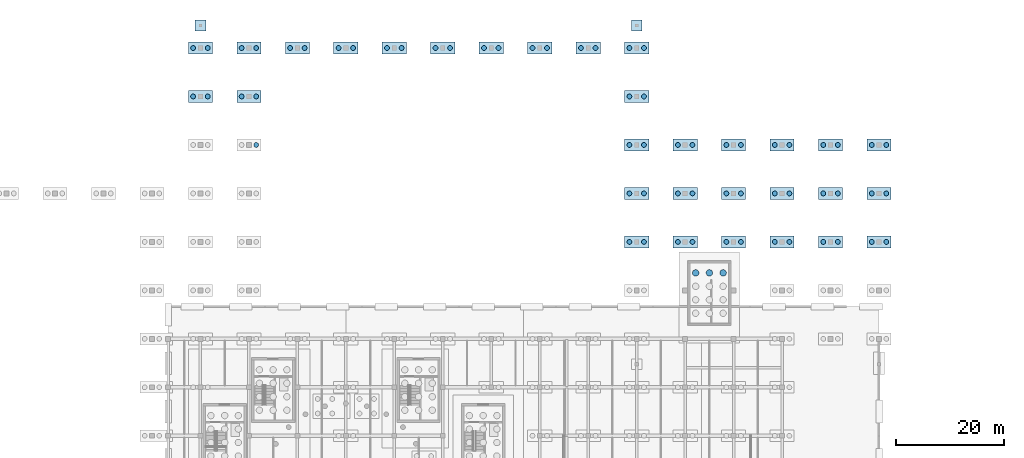
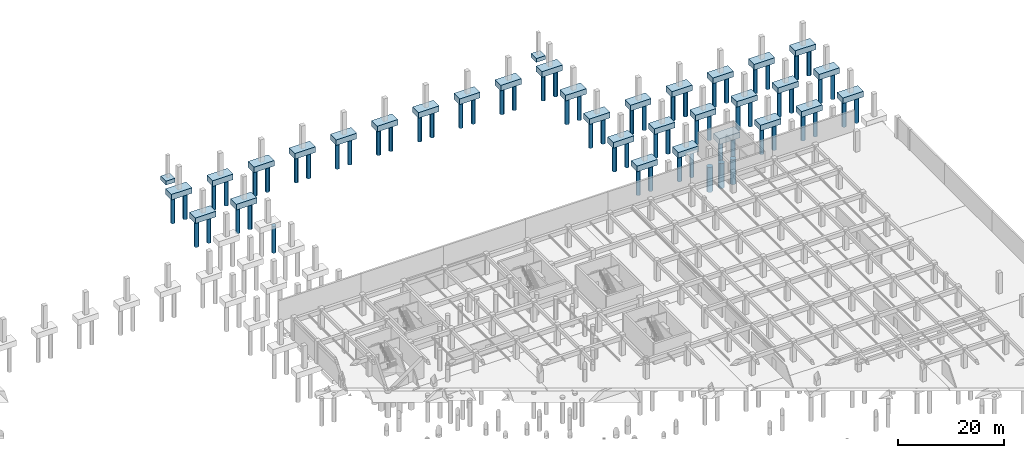
# One storey, part 9 of 27: 66 piles, 33 footings.
"""IFC4 building model written with IfcOpenShell, lengths in metres."""

from ifc_helpers import new_model, si_unit, direction, frame, origin, origin_2d, place, context, subcontext, project, spatial, polyline, circle, outline, extrude, material, layer, layer_set, material_profile, profile_set, type_object, element, save


model = new_model("IFC4")

# Units and contexts
model_context = context("Model", 3, precision=1e-05, world=origin(), true_north=direction((0.0, 1.0)))
body_context = subcontext(model_context, "Body", "Model", "MODEL_VIEW")
ifc_project = project(units=[si_unit("LENGTHUNIT", "METRE"), si_unit("AREAUNIT", "SQUARE_METRE"), si_unit("VOLUMEUNIT", "CUBIC_METRE"), si_unit("PLANEANGLEUNIT", "RADIAN"), si_unit("MASSUNIT", "GRAM", prefix="KILO")], contexts=[model_context])

# Site, building, storey
site_placement = place(None, origin())
site = spatial("IfcSite", under=ifc_project, at=site_placement, CompositionType="ELEMENT")
building_placement = place(site_placement, origin())
building = spatial("IfcBuilding", under=site, at=building_placement, Name="Dornveld Trade and Exhibition Forum", CompositionType="ELEMENT")
storey_placement = place(building_placement, frame((0.0, 0.0, -4.800048828125)))
storey = spatial("IfcBuildingStorey", under=building, at=storey_placement, Name="B1", CompositionType="ELEMENT", Elevation=-4.800048828125)

# Footings
ifc_material_1 = material(Name="Concrete C40/50", Category="concrete")
ifc_layer_1 = layer(ifc_material_1, 1.300048828125)
ifc_layer_set_1 = layer_set([ifc_layer_1], Name="Concrete C40/50")
footing_type_1 = type_object("IfcFootingType", Name="FT-CAP-2P", PredefinedType="PILE_CAP", material=ifc_layer_set_1)
footing_1_placement = place(storey_placement, frame((0.0, 0.0, -1.75)))
element("IfcFooting", 1, at=footing_1_placement, inside=storey, type_object=footing_type_1, Name="Multi-pile cap 108", PredefinedType="PILE_CAP", context=body_context, shape_type="SweptSolid", body=[
    extrude(outline(polyline([(87.75, 151.89990234375), (92.25, 151.89990234375), (92.25, 154.10009765625), (87.75, 154.10009765625), (87.75, 151.89990234375)])), origin(), (0.0, 0.0, 1.0), 1.300048828125),
])
footing_2_placement = place(storey_placement, frame((0.0, 0.0, -1.75)))
element("IfcFooting", 2, at=footing_2_placement, inside=storey, type_object=footing_type_1, Name="Multi-pile cap 109", PredefinedType="PILE_CAP", context=body_context, shape_type="SweptSolid", body=[
    extrude(outline(polyline([(87.75, 160.89990234375), (92.25, 160.89990234375), (92.25, 163.10009765625), (87.75, 163.10009765625), (87.75, 160.89990234375)])), origin(), (0.0, 0.0, 1.0), 1.300048828125),
])
footing_3_placement = place(storey_placement, frame((0.0, 0.0, -1.75)))
element("IfcFooting", 3, at=footing_3_placement, inside=storey, type_object=footing_type_1, Name="Multi-pile cap 122", PredefinedType="PILE_CAP", context=body_context, shape_type="SweptSolid", body=[
    extrude(outline(polyline([(96.75, 151.89990234375), (101.25, 151.89990234375), (101.25, 154.10009765625), (96.75, 154.10009765625), (96.75, 151.89990234375)])), origin(), (0.0, 0.0, 1.0), 1.300048828125),
])
footing_4_placement = place(storey_placement, frame((0.0, 0.0, -1.75)))
element("IfcFooting", 4, at=footing_4_placement, inside=storey, type_object=footing_type_1, Name="Multi-pile cap 123", PredefinedType="PILE_CAP", context=body_context, shape_type="SweptSolid", body=[
    extrude(outline(polyline([(96.75, 160.89990234375), (101.25, 160.89990234375), (101.25, 163.10009765625), (96.75, 163.10009765625), (96.75, 160.89990234375)])), origin(), (0.0, 0.0, 1.0), 1.300048828125),
])
footing_5_placement = place(storey_placement, frame((0.0, 0.0, -1.75)))
element("IfcFooting", 5, at=footing_5_placement, inside=storey, type_object=footing_type_1, Name="Multi-pile cap 132", PredefinedType="PILE_CAP", context=body_context, shape_type="SweptSolid", body=[
    extrude(outline(polyline([(105.75, 160.89990234375), (110.25, 160.89990234375), (110.25, 163.10009765625), (105.75, 163.10009765625), (105.75, 160.89990234375)])), origin(), (0.0, 0.0, 1.0), 1.300048828125),
])
footing_6_placement = place(storey_placement, frame((0.0, 0.0, -1.75)))
element("IfcFooting", 6, at=footing_6_placement, inside=storey, type_object=footing_type_1, Name="Multi-pile cap 146", PredefinedType="PILE_CAP", context=body_context, shape_type="SweptSolid", body=[
    extrude(outline(polyline([(114.75, 160.89990234375), (119.25, 160.89990234375), (119.25, 163.10009765625), (114.75, 163.10009765625), (114.75, 160.89990234375)])), origin(), (0.0, 0.0, 1.0), 1.300048828125),
])
footing_7_placement = place(storey_placement, frame((0.0, 0.0, -1.75)))
element("IfcFooting", 7, at=footing_7_placement, inside=storey, type_object=footing_type_1, Name="Multi-pile cap 156", PredefinedType="PILE_CAP", context=body_context, shape_type="SweptSolid", body=[
    extrude(outline(polyline([(123.75, 160.89990234375), (128.25, 160.89990234375), (128.25, 163.10009765625), (123.75, 163.10009765625), (123.75, 160.89990234375)])), origin(), (0.0, 0.0, 1.0), 1.300048828125),
])
footing_8_placement = place(storey_placement, frame((0.0, 0.0, -1.75)))
element("IfcFooting", 8, at=footing_8_placement, inside=storey, type_object=footing_type_1, Name="Multi-pile cap 166", PredefinedType="PILE_CAP", context=body_context, shape_type="SweptSolid", body=[
    extrude(outline(polyline([(132.75, 160.89990234375), (137.25, 160.89990234375), (137.25, 163.10009765625), (132.75, 163.10009765625), (132.75, 160.89990234375)])), origin(), (0.0, 0.0, 1.0), 1.300048828125),
])
footing_9_placement = place(storey_placement, frame((0.0, 0.0, -1.75)))
element("IfcFooting", 9, at=footing_9_placement, inside=storey, type_object=footing_type_1, Name="Multi-pile cap 176", PredefinedType="PILE_CAP", context=body_context, shape_type="SweptSolid", body=[
    extrude(outline(polyline([(141.75, 160.89990234375), (146.25, 160.89990234375), (146.25, 163.10009765625), (141.75, 163.10009765625), (141.75, 160.89990234375)])), origin(), (0.0, 0.0, 1.0), 1.300048828125),
])
footing_10_placement = place(storey_placement, frame((0.0, 0.0, -1.75)))
element("IfcFooting", 10, at=footing_10_placement, inside=storey, type_object=footing_type_1, Name="Multi-pile cap 190", PredefinedType="PILE_CAP", context=body_context, shape_type="SweptSolid", body=[
    extrude(outline(polyline([(150.75, 160.89990234375), (155.25, 160.89990234375), (155.25, 163.10009765625), (150.75, 163.10009765625), (150.75, 160.89990234375)])), origin(), (0.0, 0.0, 1.0), 1.300048828125),
])
footing_11_placement = place(storey_placement, frame((0.0, 0.0, -1.75)))
element("IfcFooting", 11, at=footing_11_placement, inside=storey, type_object=footing_type_1, Name="Multi-pile cap 204", PredefinedType="PILE_CAP", context=body_context, shape_type="SweptSolid", body=[
    extrude(outline(polyline([(159.75, 160.89990234375), (164.25, 160.89990234375), (164.25, 163.10009765625), (159.75, 163.10009765625), (159.75, 160.89990234375)])), origin(), (0.0, 0.0, 1.0), 1.300048828125),
])
footing_12_placement = place(storey_placement, frame((0.0, 0.0, -1.75)))
element("IfcFooting", 12, at=footing_12_placement, inside=storey, type_object=footing_type_1, Name="Multi-pile cap 219", PredefinedType="PILE_CAP", context=body_context, shape_type="SweptSolid", body=[
    extrude(outline(polyline([(168.75, 124.89990234375), (173.25, 124.89990234375), (173.25, 127.10009765625), (168.75, 127.10009765625), (168.75, 124.89990234375)])), origin(), (0.0, 0.0, 1.0), 1.300048828125),
])
footing_13_placement = place(storey_placement, frame((0.0, 0.0, -1.75)))
element("IfcFooting", 13, at=footing_13_placement, inside=storey, type_object=footing_type_1, Name="Multi-pile cap 220", PredefinedType="PILE_CAP", context=body_context, shape_type="SweptSolid", body=[
    extrude(outline(polyline([(168.75, 133.89990234375), (173.25, 133.89990234375), (173.25, 136.10009765625), (168.75, 136.10009765625), (168.75, 133.89990234375)])), origin(), (0.0, 0.0, 1.0), 1.300048828125),
])
footing_14_placement = place(storey_placement, frame((0.0, 0.0, -1.75)))
element("IfcFooting", 14, at=footing_14_placement, inside=storey, type_object=footing_type_1, Name="Multi-pile cap 221", PredefinedType="PILE_CAP", context=body_context, shape_type="SweptSolid", body=[
    extrude(outline(polyline([(168.75, 142.89990234375), (173.25, 142.89990234375), (173.25, 145.10009765625), (168.75, 145.10009765625), (168.75, 142.89990234375)])), origin(), (0.0, 0.0, 1.0), 1.300048828125),
])
footing_15_placement = place(storey_placement, frame((0.0, 0.0, -1.75)))
element("IfcFooting", 15, at=footing_15_placement, inside=storey, type_object=footing_type_1, Name="Multi-pile cap 222", PredefinedType="PILE_CAP", context=body_context, shape_type="SweptSolid", body=[
    extrude(outline(polyline([(168.75, 151.89990234375), (173.25, 151.89990234375), (173.25, 154.10009765625), (168.75, 154.10009765625), (168.75, 151.89990234375)])), origin(), (0.0, 0.0, 1.0), 1.300048828125),
])
footing_16_placement = place(storey_placement, frame((0.0, 0.0, -1.75)))
element("IfcFooting", 16, at=footing_16_placement, inside=storey, type_object=footing_type_1, Name="Multi-pile cap 223", PredefinedType="PILE_CAP", context=body_context, shape_type="SweptSolid", body=[
    extrude(outline(polyline([(168.75, 160.89990234375), (173.25, 160.89990234375), (173.25, 163.10009765625), (168.75, 163.10009765625), (168.75, 160.89990234375)])), origin(), (0.0, 0.0, 1.0), 1.300048828125),
])
footing_17_placement = place(storey_placement, frame((0.0, 0.0, -1.75)))
element("IfcFooting", 17, at=footing_17_placement, inside=storey, type_object=footing_type_1, Name="Multi-pile cap 236", PredefinedType="PILE_CAP", context=body_context, shape_type="SweptSolid", body=[
    extrude(outline(polyline([(177.75, 124.89990234375), (182.25, 124.89990234375), (182.25, 127.10009765625), (177.75, 127.10009765625), (177.75, 124.89990234375)])), origin(), (0.0, 0.0, 1.0), 1.300048828125),
])
footing_18_placement = place(storey_placement, frame((0.0, 0.0, -1.75)))
element("IfcFooting", 18, at=footing_18_placement, inside=storey, type_object=footing_type_1, Name="Multi-pile cap 237", PredefinedType="PILE_CAP", context=body_context, shape_type="SweptSolid", body=[
    extrude(outline(polyline([(177.75, 133.89990234375), (182.25, 133.89990234375), (182.25, 136.10009765625), (177.75, 136.10009765625), (177.75, 133.89990234375)])), origin(), (0.0, 0.0, 1.0), 1.300048828125),
])
footing_19_placement = place(storey_placement, frame((0.0, 0.0, -1.75)))
element("IfcFooting", 19, at=footing_19_placement, inside=storey, type_object=footing_type_1, Name="Multi-pile cap 238", PredefinedType="PILE_CAP", context=body_context, shape_type="SweptSolid", body=[
    extrude(outline(polyline([(177.75, 142.89990234375), (182.25, 142.89990234375), (182.25, 145.10009765625), (177.75, 145.10009765625), (177.75, 142.89990234375)])), origin(), (0.0, 0.0, 1.0), 1.300048828125),
])
footing_20_placement = place(storey_placement, frame((0.0, 0.0, -1.75)))
element("IfcFooting", 20, at=footing_20_placement, inside=storey, type_object=footing_type_1, Name="Multi-pile cap 251", PredefinedType="PILE_CAP", context=body_context, shape_type="SweptSolid", body=[
    extrude(outline(polyline([(186.75, 124.89990234375), (191.25, 124.89990234375), (191.25, 127.10009765625), (186.75, 127.10009765625), (186.75, 124.89990234375)])), origin(), (0.0, 0.0, 1.0), 1.300048828125),
])
footing_21_placement = place(storey_placement, frame((0.0, 0.0, -1.75)))
element("IfcFooting", 21, at=footing_21_placement, inside=storey, type_object=footing_type_1, Name="Multi-pile cap 252", PredefinedType="PILE_CAP", context=body_context, shape_type="SweptSolid", body=[
    extrude(outline(polyline([(186.75, 133.89990234375), (191.25, 133.89990234375), (191.25, 136.10009765625), (186.75, 136.10009765625), (186.75, 133.89990234375)])), origin(), (0.0, 0.0, 1.0), 1.300048828125),
])
footing_22_placement = place(storey_placement, frame((0.0, 0.0, -1.75)))
element("IfcFooting", 22, at=footing_22_placement, inside=storey, type_object=footing_type_1, Name="Multi-pile cap 253", PredefinedType="PILE_CAP", context=body_context, shape_type="SweptSolid", body=[
    extrude(outline(polyline([(186.75, 142.89990234375), (191.25, 142.89990234375), (191.25, 145.10009765625), (186.75, 145.10009765625), (186.75, 142.89990234375)])), origin(), (0.0, 0.0, 1.0), 1.300048828125),
])
footing_23_placement = place(storey_placement, frame((0.0, 0.0, -1.75)))
element("IfcFooting", 23, at=footing_23_placement, inside=storey, type_object=footing_type_1, Name="Multi-pile cap 268", PredefinedType="PILE_CAP", context=body_context, shape_type="SweptSolid", body=[
    extrude(outline(polyline([(195.75, 124.89990234375), (200.25, 124.89990234375), (200.25, 127.10009765625), (195.75, 127.10009765625), (195.75, 124.89990234375)])), origin(), (0.0, 0.0, 1.0), 1.300048828125),
])
footing_24_placement = place(storey_placement, frame((0.0, 0.0, -1.75)))
element("IfcFooting", 24, at=footing_24_placement, inside=storey, type_object=footing_type_1, Name="Multi-pile cap 269", PredefinedType="PILE_CAP", context=body_context, shape_type="SweptSolid", body=[
    extrude(outline(polyline([(195.75, 133.89990234375), (200.25, 133.89990234375), (200.25, 136.10009765625), (195.75, 136.10009765625), (195.75, 133.89990234375)])), origin(), (0.0, 0.0, 1.0), 1.300048828125),
])
footing_25_placement = place(storey_placement, frame((0.0, 0.0, -1.75)))
element("IfcFooting", 25, at=footing_25_placement, inside=storey, type_object=footing_type_1, Name="Multi-pile cap 270", PredefinedType="PILE_CAP", context=body_context, shape_type="SweptSolid", body=[
    extrude(outline(polyline([(195.75, 142.89990234375), (200.25, 142.89990234375), (200.25, 145.10009765625), (195.75, 145.10009765625), (195.75, 142.89990234375)])), origin(), (0.0, 0.0, 1.0), 1.300048828125),
])
footing_26_placement = place(storey_placement, frame((0.0, 0.0, -1.75)))
element("IfcFooting", 26, at=footing_26_placement, inside=storey, type_object=footing_type_1, Name="Multi-pile cap 278", PredefinedType="PILE_CAP", context=body_context, shape_type="SweptSolid", body=[
    extrude(outline(polyline([(204.75, 124.89990234375), (209.25, 124.89990234375), (209.25, 127.10009765625), (204.75, 127.10009765625), (204.75, 124.89990234375)])), origin(), (0.0, 0.0, 1.0), 1.300048828125),
])
footing_27_placement = place(storey_placement, frame((0.0, 0.0, -1.75)))
element("IfcFooting", 27, at=footing_27_placement, inside=storey, type_object=footing_type_1, Name="Multi-pile cap 279", PredefinedType="PILE_CAP", context=body_context, shape_type="SweptSolid", body=[
    extrude(outline(polyline([(204.75, 133.89990234375), (209.25, 133.89990234375), (209.25, 136.10009765625), (204.75, 136.10009765625), (204.75, 133.89990234375)])), origin(), (0.0, 0.0, 1.0), 1.300048828125),
])
footing_28_placement = place(storey_placement, frame((0.0, 0.0, -1.75)))
element("IfcFooting", 28, at=footing_28_placement, inside=storey, type_object=footing_type_1, Name="Multi-pile cap 280", PredefinedType="PILE_CAP", context=body_context, shape_type="SweptSolid", body=[
    extrude(outline(polyline([(204.75, 142.89990234375), (209.25, 142.89990234375), (209.25, 145.10009765625), (204.75, 145.10009765625), (204.75, 142.89990234375)])), origin(), (0.0, 0.0, 1.0), 1.300048828125),
])
footing_29_placement = place(storey_placement, frame((0.0, 0.0, -1.75)))
element("IfcFooting", 29, at=footing_29_placement, inside=storey, type_object=footing_type_1, Name="Multi-pile cap 288", PredefinedType="PILE_CAP", context=body_context, shape_type="SweptSolid", body=[
    extrude(outline(polyline([(213.75, 124.89990234375), (218.25, 124.89990234375), (218.25, 127.10009765625), (213.75, 127.10009765625), (213.75, 124.89990234375)])), origin(), (0.0, 0.0, 1.0), 1.300048828125),
])
footing_30_placement = place(storey_placement, frame((0.0, 0.0, -1.75)))
element("IfcFooting", 30, at=footing_30_placement, inside=storey, type_object=footing_type_1, Name="Multi-pile cap 289", PredefinedType="PILE_CAP", context=body_context, shape_type="SweptSolid", body=[
    extrude(outline(polyline([(213.75, 133.89990234375), (218.25, 133.89990234375), (218.25, 136.10009765625), (213.75, 136.10009765625), (213.75, 133.89990234375)])), origin(), (0.0, 0.0, 1.0), 1.300048828125),
])
footing_31_placement = place(storey_placement, frame((0.0, 0.0, -1.75)))
element("IfcFooting", 31, at=footing_31_placement, inside=storey, type_object=footing_type_1, Name="Multi-pile cap 290", PredefinedType="PILE_CAP", context=body_context, shape_type="SweptSolid", body=[
    extrude(outline(polyline([(213.75, 142.89990234375), (218.25, 142.89990234375), (218.25, 145.10009765625), (213.75, 145.10009765625), (213.75, 142.89990234375)])), origin(), (0.0, 0.0, 1.0), 1.300048828125),
])
ifc_material_2 = material(Name="Concrete C40/50", Category="concrete")
ifc_layer_2 = layer(ifc_material_2, 0.89990234375)
ifc_layer_set_2 = layer_set([ifc_layer_2], Name="Concrete C40/50")
footing_type_2 = type_object("IfcFootingType", Name="FT-PAD-CAN", PredefinedType="PAD_FOOTING", material=ifc_layer_set_2)
footing_32_placement = place(storey_placement, frame((0.0, 0.0, -1.349853515625)))
element("IfcFooting", 32, at=footing_32_placement, inside=storey, type_object=footing_type_2, Name="Paving edge pad footing 1", PredefinedType="PAD_FOOTING", context=body_context, shape_type="SweptSolid", body=[
    extrude(outline(polyline([(89.0, 165.199951171875), (91.0, 165.199951171875), (91.0, 167.199951171875), (89.0, 167.199951171875), (89.0, 165.199951171875)])), origin(), (0.0, 0.0, 1.0), 0.89990234375),
])
footing_33_placement = place(storey_placement, frame((0.0, 0.0, -1.349853515625)))
element("IfcFooting", 33, at=footing_33_placement, inside=storey, type_object=footing_type_2, Name="Paving edge pad footing 2", PredefinedType="PAD_FOOTING", context=body_context, shape_type="SweptSolid", body=[
    extrude(outline(polyline([(170.0, 165.199951171875), (172.0, 165.199951171875), (172.0, 167.199951171875), (170.0, 167.199951171875), (170.0, 165.199951171875)])), origin(), (0.0, 0.0, 1.0), 0.89990234375),
])

# Piles
ifc_material_3 = material(Name="Concrete C40/50", Category="concrete")
ifc_material_profile_1 = material_profile(ifc_material_3, circle(Radius=0.60009765625, at=origin_2d()), Name="PILE D1200")
ifc_profile_set_1 = profile_set([ifc_material_profile_1], Name="Concrete C40/50")
pile_type_1 = type_object("IfcPileType", Name="PILE-B1200", PredefinedType="BORED", material=ifc_profile_set_1)
for number, where, z_axis, x_axis, name in (
    (34, (181.949951171875, 120.25, -2.14990234375), (0.0, 0.0, -1.0), (1.0, 0.0, 0.0), "CORE-12 rock-socketed bored pile 4"),
    (35, (184.5, 120.25, -2.14990234375), (0.0, 0.0, -1.0), (1.0, 0.0, 0.0), "CORE-12 rock-socketed bored pile 8"),
    (36, (187.050048828125, 120.25, -2.14990234375), (0.0, 0.0, -1.0), (1.0, 0.0, 0.0), "CORE-12 rock-socketed bored pile 12"),
):
    element("IfcPile", number, at=place(storey_placement, frame(where, z_axis=z_axis, x_axis=x_axis)), inside=storey, type_object=pile_type_1, Name=name, PredefinedType="BORED", context=body_context, shape_type="SweptSolid", body=[
        extrude(circle(Radius=0.60009765625, at=origin_2d()), origin(), (0.0, 0.0, 1.0), 5.75),
    ])
ifc_material_4 = material(Name="Concrete C40/50", Category="concrete")
ifc_material_profile_2 = material_profile(ifc_material_4, circle(Radius=0.449951171875, at=origin_2d()), Name="PILE D900")
ifc_profile_set_2 = profile_set([ifc_material_profile_2], Name="Concrete C40/50")
pile_type_2 = type_object("IfcPileType", Name="PILE-B900", PredefinedType="BORED", material=ifc_profile_set_2)
for number, where, z_axis, x_axis, name in (
    (37, (88.64990234375, 153.0, -1.64990234375), (0.0, 0.0, -1.0), (1.0, 0.0, 0.0), "Cap 108 rock-socketed pile 1"),
    (38, (91.35009765625, 153.0, -1.64990234375), (0.0, 0.0, -1.0), (1.0, 0.0, 0.0), "Cap 108 rock-socketed pile 2"),
    (39, (88.64990234375, 162.0, -1.64990234375), (0.0, 0.0, -1.0), (1.0, 0.0, 0.0), "Cap 109 rock-socketed pile 1"),
    (40, (91.35009765625, 162.0, -1.64990234375), (0.0, 0.0, -1.0), (1.0, 0.0, 0.0), "Cap 109 rock-socketed pile 2"),
    (41, (100.35009765625, 144.0, -1.64990234375), (0.0, 0.0, -1.0), (1.0, 0.0, 0.0), "Cap 121 rock-socketed pile 2"),
    (42, (97.64990234375, 153.0, -1.64990234375), (0.0, 0.0, -1.0), (1.0, 0.0, 0.0), "Cap 122 rock-socketed pile 1"),
    (43, (100.35009765625, 153.0, -1.64990234375), (0.0, 0.0, -1.0), (1.0, 0.0, 0.0), "Cap 122 rock-socketed pile 2"),
    (44, (97.64990234375, 162.0, -1.64990234375), (0.0, 0.0, -1.0), (1.0, 0.0, 0.0), "Cap 123 rock-socketed pile 1"),
    (45, (100.35009765625, 162.0, -1.64990234375), (0.0, 0.0, -1.0), (1.0, 0.0, 0.0), "Cap 123 rock-socketed pile 2"),
    (46, (106.64990234375, 162.0, -1.64990234375), (0.0, 0.0, -1.0), (1.0, 0.0, 0.0), "Cap 132 rock-socketed pile 1"),
    (47, (109.35009765625, 162.0, -1.64990234375), (0.0, 0.0, -1.0), (1.0, 0.0, 0.0), "Cap 132 rock-socketed pile 2"),
    (48, (115.64990234375, 162.0, -1.64990234375), (0.0, 0.0, -1.0), (1.0, 0.0, 0.0), "Cap 146 rock-socketed pile 1"),
    (49, (118.35009765625, 162.0, -1.64990234375), (0.0, 0.0, -1.0), (1.0, 0.0, 0.0), "Cap 146 rock-socketed pile 2"),
    (50, (124.64990234375, 162.0, -1.64990234375), (0.0, 0.0, -1.0), (1.0, 0.0, 0.0), "Cap 156 rock-socketed pile 1"),
    (51, (127.35009765625, 162.0, -1.64990234375), (0.0, 0.0, -1.0), (1.0, 0.0, 0.0), "Cap 156 rock-socketed pile 2"),
    (52, (133.64990234375, 162.0, -1.64990234375), (0.0, 0.0, -1.0), (1.0, 0.0, 0.0), "Cap 166 rock-socketed pile 1"),
    (53, (136.35009765625, 162.0, -1.64990234375), (0.0, 0.0, -1.0), (1.0, 0.0, 0.0), "Cap 166 rock-socketed pile 2"),
    (54, (142.64990234375, 162.0, -1.64990234375), (0.0, 0.0, -1.0), (1.0, 0.0, 0.0), "Cap 176 rock-socketed pile 1"),
    (55, (145.35009765625, 162.0, -1.64990234375), (0.0, 0.0, -1.0), (1.0, 0.0, 0.0), "Cap 176 rock-socketed pile 2"),
    (56, (151.64990234375, 162.0, -1.64990234375), (0.0, 0.0, -1.0), (1.0, 0.0, 0.0), "Cap 190 rock-socketed pile 1"),
    (57, (154.35009765625, 162.0, -1.64990234375), (0.0, 0.0, -1.0), (1.0, 0.0, 0.0), "Cap 190 rock-socketed pile 2"),
    (58, (160.64990234375, 162.0, -1.64990234375), (0.0, 0.0, -1.0), (1.0, 0.0, 0.0), "Cap 204 rock-socketed pile 1"),
    (59, (163.35009765625, 162.0, -1.64990234375), (0.0, 0.0, -1.0), (1.0, 0.0, 0.0), "Cap 204 rock-socketed pile 2"),
    (60, (169.64990234375, 126.0, -1.64990234375), (0.0, 0.0, -1.0), (1.0, 0.0, 0.0), "Cap 219 rock-socketed pile 1"),
    (61, (172.35009765625, 126.0, -1.64990234375), (0.0, 0.0, -1.0), (1.0, 0.0, 0.0), "Cap 219 rock-socketed pile 2"),
    (62, (169.64990234375, 135.0, -1.64990234375), (0.0, 0.0, -1.0), (1.0, 0.0, 0.0), "Cap 220 rock-socketed pile 1"),
    (63, (172.35009765625, 135.0, -1.64990234375), (0.0, 0.0, -1.0), (1.0, 0.0, 0.0), "Cap 220 rock-socketed pile 2"),
    (64, (169.64990234375, 144.0, -1.64990234375), (0.0, 0.0, -1.0), (1.0, 0.0, 0.0), "Cap 221 rock-socketed pile 1"),
    (65, (172.35009765625, 144.0, -1.64990234375), (0.0, 0.0, -1.0), (1.0, 0.0, 0.0), "Cap 221 rock-socketed pile 2"),
    (66, (169.64990234375, 153.0, -1.64990234375), (0.0, 0.0, -1.0), (1.0, 0.0, 0.0), "Cap 222 rock-socketed pile 1"),
    (67, (172.35009765625, 153.0, -1.64990234375), (0.0, 0.0, -1.0), (1.0, 0.0, 0.0), "Cap 222 rock-socketed pile 2"),
    (68, (169.64990234375, 162.0, -1.64990234375), (0.0, 0.0, -1.0), (1.0, 0.0, 0.0), "Cap 223 rock-socketed pile 1"),
    (69, (172.35009765625, 162.0, -1.64990234375), (0.0, 0.0, -1.0), (1.0, 0.0, 0.0), "Cap 223 rock-socketed pile 2"),
    (70, (178.64990234375, 126.0, -1.64990234375), (0.0, 0.0, -1.0), (1.0, 0.0, 0.0), "Cap 236 rock-socketed pile 1"),
    (71, (181.35009765625, 126.0, -1.64990234375), (0.0, 0.0, -1.0), (1.0, 0.0, 0.0), "Cap 236 rock-socketed pile 2"),
    (72, (178.64990234375, 135.0, -1.64990234375), (0.0, 0.0, -1.0), (1.0, 0.0, 0.0), "Cap 237 rock-socketed pile 1"),
    (73, (181.35009765625, 135.0, -1.64990234375), (0.0, 0.0, -1.0), (1.0, 0.0, 0.0), "Cap 237 rock-socketed pile 2"),
    (74, (178.64990234375, 144.0, -1.64990234375), (0.0, 0.0, -1.0), (1.0, 0.0, 0.0), "Cap 238 rock-socketed pile 1"),
    (75, (181.35009765625, 144.0, -1.64990234375), (0.0, 0.0, -1.0), (1.0, 0.0, 0.0), "Cap 238 rock-socketed pile 2"),
    (76, (187.64990234375, 126.0, -1.64990234375), (0.0, 0.0, -1.0), (1.0, 0.0, 0.0), "Cap 251 rock-socketed pile 1"),
    (77, (190.35009765625, 126.0, -1.64990234375), (0.0, 0.0, -1.0), (1.0, 0.0, 0.0), "Cap 251 rock-socketed pile 2"),
    (78, (187.64990234375, 135.0, -1.64990234375), (0.0, 0.0, -1.0), (1.0, 0.0, 0.0), "Cap 252 rock-socketed pile 1"),
    (79, (190.35009765625, 135.0, -1.64990234375), (0.0, 0.0, -1.0), (1.0, 0.0, 0.0), "Cap 252 rock-socketed pile 2"),
    (80, (187.64990234375, 144.0, -1.64990234375), (0.0, 0.0, -1.0), (1.0, 0.0, 0.0), "Cap 253 rock-socketed pile 1"),
    (81, (190.35009765625, 144.0, -1.64990234375), (0.0, 0.0, -1.0), (1.0, 0.0, 0.0), "Cap 253 rock-socketed pile 2"),
    (82, (196.64990234375, 126.0, -1.64990234375), (0.0, 0.0, -1.0), (1.0, 0.0, 0.0), "Cap 268 rock-socketed pile 1"),
    (83, (199.35009765625, 126.0, -1.64990234375), (0.0, 0.0, -1.0), (1.0, 0.0, 0.0), "Cap 268 rock-socketed pile 2"),
    (84, (196.64990234375, 135.0, -1.64990234375), (0.0, 0.0, -1.0), (1.0, 0.0, 0.0), "Cap 269 rock-socketed pile 1"),
    (85, (199.35009765625, 135.0, -1.64990234375), (0.0, 0.0, -1.0), (1.0, 0.0, 0.0), "Cap 269 rock-socketed pile 2"),
    (86, (196.64990234375, 144.0, -1.64990234375), (0.0, 0.0, -1.0), (1.0, 0.0, 0.0), "Cap 270 rock-socketed pile 1"),
    (87, (199.35009765625, 144.0, -1.64990234375), (0.0, 0.0, -1.0), (1.0, 0.0, 0.0), "Cap 270 rock-socketed pile 2"),
    (88, (205.64990234375, 126.0, -1.64990234375), (0.0, 0.0, -1.0), (1.0, 0.0, 0.0), "Cap 278 rock-socketed pile 1"),
    (89, (208.35009765625, 126.0, -1.64990234375), (0.0, 0.0, -1.0), (1.0, 0.0, 0.0), "Cap 278 rock-socketed pile 2"),
    (90, (205.64990234375, 135.0, -1.64990234375), (0.0, 0.0, -1.0), (1.0, 0.0, 0.0), "Cap 279 rock-socketed pile 1"),
    (91, (208.35009765625, 135.0, -1.64990234375), (0.0, 0.0, -1.0), (1.0, 0.0, 0.0), "Cap 279 rock-socketed pile 2"),
    (92, (205.64990234375, 144.0, -1.64990234375), (0.0, 0.0, -1.0), (1.0, 0.0, 0.0), "Cap 280 rock-socketed pile 1"),
    (93, (208.35009765625, 144.0, -1.64990234375), (0.0, 0.0, -1.0), (1.0, 0.0, 0.0), "Cap 280 rock-socketed pile 2"),
    (94, (214.64990234375, 126.0, -1.64990234375), (0.0, 0.0, -1.0), (1.0, 0.0, 0.0), "Cap 288 rock-socketed pile 1"),
    (95, (217.35009765625, 126.0, -1.64990234375), (0.0, 0.0, -1.0), (1.0, 0.0, 0.0), "Cap 288 rock-socketed pile 2"),
    (96, (214.64990234375, 135.0, -1.64990234375), (0.0, 0.0, -1.0), (1.0, 0.0, 0.0), "Cap 289 rock-socketed pile 1"),
    (97, (217.35009765625, 135.0, -1.64990234375), (0.0, 0.0, -1.0), (1.0, 0.0, 0.0), "Cap 289 rock-socketed pile 2"),
    (98, (214.64990234375, 144.0, -1.64990234375), (0.0, 0.0, -1.0), (1.0, 0.0, 0.0), "Cap 290 rock-socketed pile 1"),
    (99, (217.35009765625, 144.0, -1.64990234375), (0.0, 0.0, -1.0), (1.0, 0.0, 0.0), "Cap 290 rock-socketed pile 2"),
):
    element("IfcPile", number, at=place(storey_placement, frame(where, z_axis=z_axis, x_axis=x_axis)), inside=storey, type_object=pile_type_2, Name=name, PredefinedType="BORED", context=body_context, shape_type="SweptSolid", body=[
        extrude(circle(Radius=0.449951171875, at=origin_2d()), origin(), (0.0, 0.0, 1.0), 6.25),
    ])

save(model, "model.ifc")
